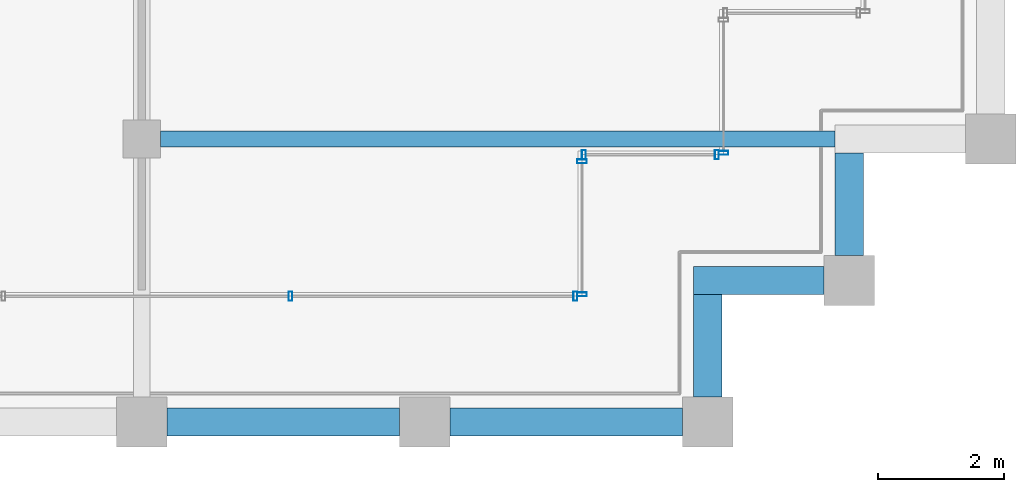
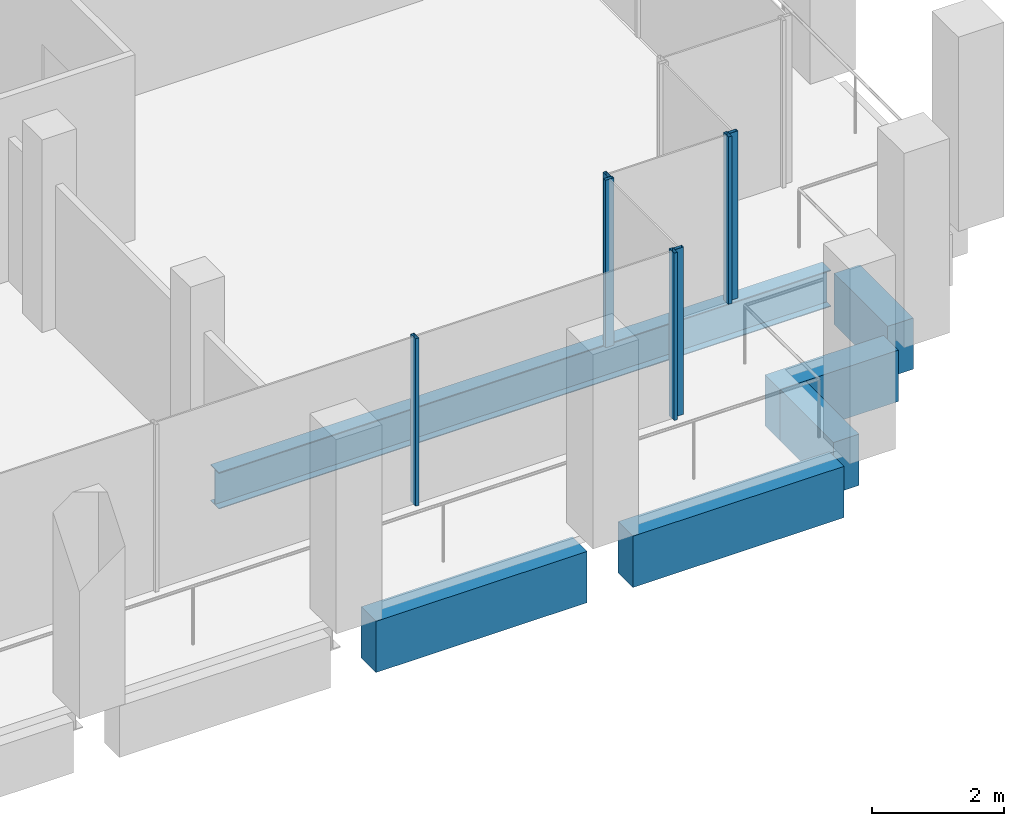
# One storey, part 12 of 30: 7 members, 6 beams, 4 elements without a shape of their own.
"""IFC4 building model written with IfcOpenShell, lengths in metres."""

from ifc_helpers import new_model, si_unit, direction, frame, origin, origin_2d, place, context, subcontext, project, spatial, rectangle, hollow_rectangle, i_section, extrude, material, material_profile, profile_set, type_object, element, aggregate, save


model = new_model("IFC4")

# Units and contexts
model_context = context("Model", 3, precision=1e-05, world=origin(), true_north=direction((0.0, 1.0)))
body_context = subcontext(model_context, "Body", "Model", "MODEL_VIEW")
ifc_project = project(units=[si_unit("LENGTHUNIT", "METRE"), si_unit("AREAUNIT", "SQUARE_METRE"), si_unit("VOLUMEUNIT", "CUBIC_METRE"), si_unit("PLANEANGLEUNIT", "RADIAN"), si_unit("MASSUNIT", "GRAM", prefix="KILO")], contexts=[model_context])

# Site, building, storey
site_placement = place(None, origin())
site = spatial("IfcSite", under=ifc_project, at=site_placement, CompositionType="ELEMENT")
building_placement = place(site_placement, origin())
building = spatial("IfcBuilding", under=site, at=building_placement, Name="Altepetl Exchange Towers", CompositionType="ELEMENT")
storey_placement = place(building_placement, frame((0.0, 0.0, 228.0)))
storey = spatial("IfcBuildingStorey", under=building, at=storey_placement, Name="L58", CompositionType="ELEMENT", Elevation=228.0)

# Beam
ifc_material_1 = material(Name="Steel S355", Category="steel")
ifc_material_profile_1 = material_profile(ifc_material_1, i_section(OverallWidth=0.2529296875, OverallDepth=0.677978515625, WebThickness=0.01171875, FlangeThickness=0.016357421875, at=origin_2d()), Name="W27X84")
ifc_profile_set_1 = profile_set([ifc_material_profile_1], Name="Steel S355")
beam_type_1 = type_object("IfcBeamType", Name="Floor beam W27X84", PredefinedType="BEAM", material=ifc_profile_set_1)
beam_1_placement = place(storey_placement, frame((58.800048828125, 31.5, -0.489013671875), z_axis=(1.0, 0.0, 0.0), x_axis=(0.0, 1.0, 0.0)))
element("IfcBeam", 1, at=beam_1_placement, inside=storey, type_object=beam_type_1, Name="bm:A:L58:006", PredefinedType="BEAM", context=body_context, shape_type="SweptSolid", body=[
    extrude(i_section(OverallWidth=0.2529296875, OverallDepth=0.677978515625, WebThickness=0.01171875, FlangeThickness=0.016357421875, at=origin_2d()), origin(), (0.0, 0.0, 1.0), 10.724853515625),
])

# Curtain wall, members
ifc_material_2 = material(Name="Aluminium 6063-T6 glazing", Category="aluminium")
curtain_wall_type = type_object("IfcCurtainWallType", Name="Loggia glazing system", PredefinedType="NOTDEFINED", material=ifc_material_2)
curtain_wall_1_placement = place(storey_placement, origin())
curtain_wall_1 = element("IfcCurtainWall", 2, at=curtain_wall_1_placement, inside=storey, type_object=curtain_wall_type, Name="CW1 run", PredefinedType="NOTDEFINED")
ifc_material_3 = material(Name="Aluminium 6063-T6", Category="aluminium")
ifc_material_profile_2 = material_profile(ifc_material_3, hollow_rectangle(XDim=0.06005859375, YDim=0.14990234375, WallThickness=0.0029296875, at=origin_2d()), Name="Mullion 60x150 aluminium")
ifc_profile_set_2 = profile_set([ifc_material_profile_2], Name="Aluminium 6063-T6")
member_type = type_object("IfcMemberType", Name="Mullion 60x150 aluminium", PredefinedType="MULLION", material=ifc_profile_set_2)
member_1_placement = place(storey_placement, frame((60.8642578125, 29.0, 0.0)))
member_1 = element("IfcMember", 3, at=member_1_placement, type_object=member_type, Name="MU1 mullion", PredefinedType="MULLION", context=body_context, shape_type="SweptSolid", body=[
    extrude(hollow_rectangle(XDim=0.06005859375, YDim=0.14990234375, WallThickness=0.0029296875, at=origin_2d()), origin(), (0.0, 0.0, 1.0), 3.10009765625),
])
member_2_placement = place(storey_placement, frame((65.39501953125, 29.0, 0.0)))
member_2 = element("IfcMember", 4, at=member_2_placement, type_object=member_type, Name="MU1 mullion", PredefinedType="MULLION", context=body_context, shape_type="SweptSolid", body=[
    extrude(hollow_rectangle(XDim=0.06005859375, YDim=0.14990234375, WallThickness=0.0029296875, at=origin_2d()), origin(), (0.0, 0.0, 1.0), 3.10009765625),
])
aggregate(curtain_wall_1, [member_1, member_2])

curtain_wall_2_placement = place(storey_placement, origin())
curtain_wall_2 = element("IfcCurtainWall", 5, at=curtain_wall_2_placement, inside=storey, type_object=curtain_wall_type, Name="CW1 run", PredefinedType="NOTDEFINED")
member_3_placement = place(storey_placement, frame((65.5, 29.030029296875, 0.0), z_axis=(0.0, 0.0, 1.0), x_axis=(0.0, 1.0, 0.0)))
member_3 = element("IfcMember", 6, at=member_3_placement, type_object=member_type, Name="MU1 mullion", PredefinedType="MULLION", context=body_context, shape_type="SweptSolid", body=[
    extrude(hollow_rectangle(XDim=0.06005859375, YDim=0.14990234375, WallThickness=0.0029296875, at=origin_2d()), origin(), (0.0, 0.0, 1.0), 3.10009765625),
])
member_4_placement = place(storey_placement, frame((65.5, 31.14501953125, 0.0), z_axis=(0.0, 0.0, 1.0), x_axis=(0.0, 1.0, 0.0)))
member_4 = element("IfcMember", 7, at=member_4_placement, type_object=member_type, Name="MU1 mullion", PredefinedType="MULLION", context=body_context, shape_type="SweptSolid", body=[
    extrude(hollow_rectangle(XDim=0.06005859375, YDim=0.14990234375, WallThickness=0.0029296875, at=origin_2d()), origin(), (0.0, 0.0, 1.0), 3.10009765625),
])
aggregate(curtain_wall_2, [member_3, member_4])

curtain_wall_3_placement = place(storey_placement, origin())
curtain_wall_3 = element("IfcCurtainWall", 8, at=curtain_wall_3_placement, inside=storey, type_object=curtain_wall_type, Name="CW1 run", PredefinedType="NOTDEFINED")
member_5_placement = place(storey_placement, frame((65.530029296875, 31.25, 0.0)))
member_5 = element("IfcMember", 9, at=member_5_placement, type_object=member_type, Name="MU1 mullion", PredefinedType="MULLION", context=body_context, shape_type="SweptSolid", body=[
    extrude(hollow_rectangle(XDim=0.06005859375, YDim=0.14990234375, WallThickness=0.0029296875, at=origin_2d()), origin(), (0.0, 0.0, 1.0), 3.10009765625),
])
member_6_placement = place(storey_placement, frame((67.64501953125, 31.25, 0.0)))
member_6 = element("IfcMember", 10, at=member_6_placement, type_object=member_type, Name="MU1 mullion", PredefinedType="MULLION", context=body_context, shape_type="SweptSolid", body=[
    extrude(hollow_rectangle(XDim=0.06005859375, YDim=0.14990234375, WallThickness=0.0029296875, at=origin_2d()), origin(), (0.0, 0.0, 1.0), 3.10009765625),
])
aggregate(curtain_wall_3, [member_5, member_6])

# Curtain wall, member
curtain_wall_4_placement = place(storey_placement, origin())
curtain_wall_4 = element("IfcCurtainWall", 11, at=curtain_wall_4_placement, inside=storey, type_object=curtain_wall_type, Name="CW1 run", PredefinedType="NOTDEFINED")
member_7_placement = place(storey_placement, frame((67.75, 31.280029296875, 0.0), z_axis=(0.0, 0.0, 1.0), x_axis=(0.0, 1.0, 0.0)))
member_7 = element("IfcMember", 12, at=member_7_placement, type_object=member_type, Name="MU1 mullion", PredefinedType="MULLION", context=body_context, shape_type="SweptSolid", body=[
    extrude(hollow_rectangle(XDim=0.06005859375, YDim=0.14990234375, WallThickness=0.0029296875, at=origin_2d()), origin(), (0.0, 0.0, 1.0), 3.10009765625),
])
aggregate(curtain_wall_4, [member_7])

# Beams
ifc_material_4 = material(Name="Concrete C50/60 precast with cantera amarilla facing", Category="concrete")
ifc_material_profile_3 = material_profile(ifc_material_4, rectangle(XDim=0.449951171875, YDim=0.949951171875, at=origin_2d()), Name="450 x 950")
ifc_profile_set_3 = profile_set([ifc_material_profile_3], Name="Concrete C50/60 precast with cantera amarilla facing")
beam_type_2 = type_object("IfcBeamType", Name="Spandrel beam 450x950 cantera amarilla", PredefinedType="SPANDREL", material=ifc_profile_set_3)
for number, where, z_axis, x_axis, name in (
    (13, (58.89990234375, 27.0, -0.625), (1.0, 0.0, 0.0), (0.0, 1.0, 0.0), "sp:A:L58:006"),
    (14, (63.39990234375, 27.0, -0.625), (1.0, 0.0, 0.0), (0.0, 1.0, 0.0), "sp:A:L58:007"),
):
    element("IfcBeam", number, at=place(storey_placement, frame(where, z_axis=z_axis, x_axis=x_axis)), inside=storey, type_object=beam_type_2, Name=name, PredefinedType="SPANDREL", context=body_context, shape_type="SweptSolid", body=[
        extrude(rectangle(XDim=0.449951171875, YDim=0.949951171875, at=origin_2d()), origin(), (0.0, 0.0, 1.0), 3.7001953125),
    ])
beam_2_placement = place(storey_placement, frame((67.5, 27.39990234375, -0.625), z_axis=(0.0, 1.0, 0.0), x_axis=(-1.0, 0.0, 0.0)))
element("IfcBeam", 15, at=beam_2_placement, inside=storey, type_object=beam_type_2, Name="sp:A:L58:008", PredefinedType="SPANDREL", context=body_context, shape_type="SweptSolid", body=[
    extrude(rectangle(XDim=0.449951171875, YDim=0.949951171875, at=origin_2d()), origin(), (0.0, 0.0, 1.0), 1.625),
])
beam_3_placement = place(storey_placement, frame((67.27490234375, 29.25, -0.625), z_axis=(1.0, 0.0, 0.0), x_axis=(0.0, 1.0, 0.0)))
element("IfcBeam", 16, at=beam_3_placement, inside=storey, type_object=beam_type_2, Name="sp:A:L58:009", PredefinedType="SPANDREL", context=body_context, shape_type="SweptSolid", body=[
    extrude(rectangle(XDim=0.449951171875, YDim=0.949951171875, at=origin_2d()), origin(), (0.0, 0.0, 1.0), 2.0751953125),
])
beam_4_placement = place(storey_placement, frame((69.75, 29.64990234375, -0.625), z_axis=(0.0, 1.0, 0.0), x_axis=(-1.0, 0.0, 0.0)))
element("IfcBeam", 17, at=beam_4_placement, inside=storey, type_object=beam_type_2, Name="sp:A:L58:010", PredefinedType="SPANDREL", context=body_context, shape_type="SweptSolid", body=[
    extrude(rectangle(XDim=0.449951171875, YDim=0.949951171875, at=origin_2d()), origin(), (0.0, 0.0, 1.0), 1.625),
])

save(model, "model.ifc")
